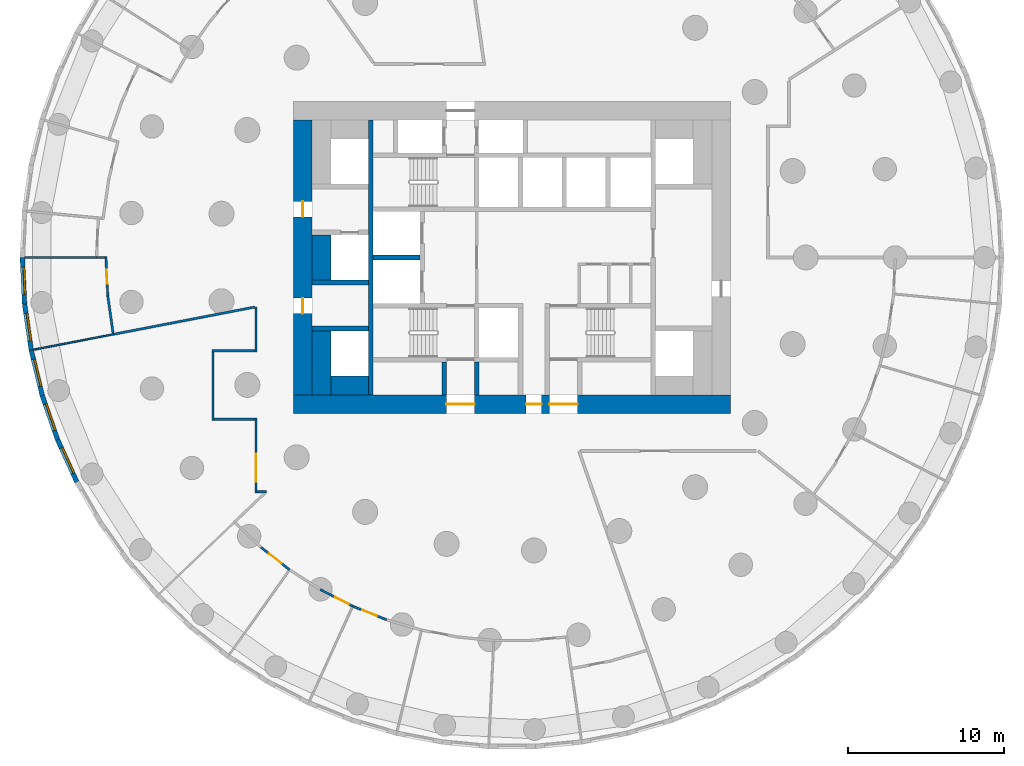
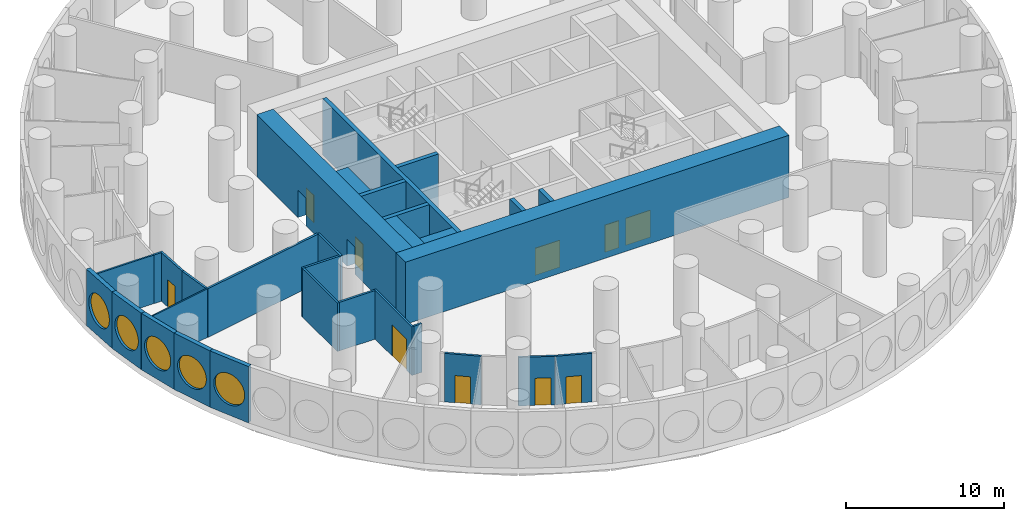
# One storey, part 3 of 11: 31 walls, 10 doors, 5 windows, 15 openings.
"""IFC4 building model written with IfcOpenShell, lengths in metres."""

from ifc_helpers import new_model, si_unit, direction, frame, frame_2d, origin, origin_2d, place, context, subcontext, project, spatial, rectangle, circle, extrude, material, layer, layer_set, type_object, element, fill, save


model = new_model("IFC4")

# Units and contexts
model_context = context("Model", 3, precision=1e-05, world=origin(), true_north=direction((0.0, 1.0)))
body_context = subcontext(model_context, "Body", "Model", "MODEL_VIEW")
ifc_project = project(units=[si_unit("LENGTHUNIT", "METRE"), si_unit("AREAUNIT", "SQUARE_METRE"), si_unit("VOLUMEUNIT", "CUBIC_METRE"), si_unit("PLANEANGLEUNIT", "RADIAN"), si_unit("MASSUNIT", "GRAM", prefix="KILO")], contexts=[model_context])

# Site, building, storey
site_placement = place(None, origin())
site = spatial("IfcSite", under=ifc_project, at=site_placement, CompositionType="ELEMENT")
building_placement = place(site_placement, origin())
building = spatial("IfcBuilding", under=site, at=building_placement, Name="Tracery Tower", CompositionType="ELEMENT")
storey_placement = place(building_placement, frame((0.0, 0.0, 9.0)))
storey = spatial("IfcBuildingStorey", under=building, at=storey_placement, Name="L01", CompositionType="ELEMENT", Elevation=9.0)

# Walls
ifc_material_1 = material(Name="Concrete C60/75", Category="concrete")
ifc_layer_1 = layer(ifc_material_1, 1.199951171875)
ifc_layer_set_1 = layer_set([ifc_layer_1], Name="Core strip wall 1200 C60")
wall_type_1 = type_object("IfcWallType", Name="Core strip wall 1200 C60", PredefinedType="SOLIDWALL", material=ifc_layer_set_1)
wall_1_placement = place(storey_placement, frame((-12.199951171875, -8.800048828125, 0.0), z_axis=(0.0, 0.0, 1.0), x_axis=(0.0, 1.0, 0.0)))
element("IfcWall", 1, at=wall_1_placement, inside=storey, type_object=wall_type_1, Name="L01 wing strip -1 -9.4", PredefinedType="SOLIDWALL", context=body_context, shape_type="SweptSolid", body=[
    extrude(rectangle(XDim=4.10009765625, YDim=1.199951171875, at=frame_2d((2.050048828125, 0.0))), origin(), (0.0, 0.0, 1.0), 4.35009765625),
])
wall_2_placement = place(storey_placement, frame((-12.199951171875, -1.449951171875, 0.0), z_axis=(0.0, 0.0, 1.0), x_axis=(0.0, 1.0, 0.0)))
element("IfcWall", 2, at=wall_2_placement, inside=storey, type_object=wall_type_1, Name="L01 wing strip -1 -1.6", PredefinedType="SOLIDWALL", context=body_context, shape_type="SweptSolid", body=[
    extrude(rectangle(XDim=2.89990234375, YDim=1.199951171875, at=frame_2d((1.449951171875, 0.0))), origin(), (0.0, 0.0, 1.0), 4.35009765625),
])
wall_3_placement = place(storey_placement, frame((-11.60009765625, -8.199951171875, 0.0), z_axis=(0.0, 0.0, 1.0), x_axis=(1.0, 0.0, 0.0)))
element("IfcWall", 3, at=wall_3_placement, inside=storey, type_object=wall_type_1, Name="L01 wing corner -1 -8.2", PredefinedType="SOLIDWALL", context=body_context, shape_type="SweptSolid", body=[
    extrude(rectangle(XDim=2.400146484375, YDim=1.199951171875, at=frame_2d((1.2001953125, 0.0))), origin(), (0.0, 0.0, 1.0), 4.35009765625),
])

# Wall, openings, doors
ifc_material_2 = material(Name="Concrete C60/75", Category="concrete")
ifc_layer_2 = layer(ifc_material_2, 1.199951171875)
ifc_layer_set_2 = layer_set([ifc_layer_2], Name="Core wall 1200 C60")
wall_type_2 = type_object("IfcWallType", Name="Core wall 1200 C60", PredefinedType="SOLIDWALL", material=ifc_layer_set_2)
wall_4_placement = place(storey_placement, frame((-14.0, -9.39990234375, 0.0), z_axis=(0.0, 0.0, 1.0), x_axis=(1.0, 0.0, 0.0)))
wall_4 = element("IfcWall", 4, at=wall_4_placement, inside=storey, type_object=wall_type_2, Name="L01 outer S", PredefinedType="SOLIDWALL", context=body_context, shape_type="SweptSolid", body=[
    extrude(rectangle(XDim=28.0, YDim=1.199951171875, at=frame_2d((14.0, 0.0))), origin(), (0.0, 0.0, 1.0), 4.800048828125),
])
opening_1_placement = place(wall_4_placement, frame((14.89990234375, 0.0, 0.0)))
opening_1 = element("IfcOpeningElement", 5, at=opening_1_placement, cuts=wall_4, Name="Opening KD16", PredefinedType="OPENING", context=body_context, shape_type="SweptSolid", body=[
    extrude(rectangle(XDim=1.0, YDim=2.10009765625, at=frame_2d((0.5, 1.050048828125))), frame((0.0, 0.60009765625, 0.0), z_axis=(0.0, -1.0, 0.0), x_axis=(1.0, 0.0, 0.0)), (0.0, 0.0, 1.0), 1.199951171875),
])
opening_2_placement = place(wall_4_placement, frame((9.800048828125, 0.0, 0.0)))
opening_2 = element("IfcOpeningElement", 6, at=opening_2_placement, cuts=wall_4, Name="Opening KD13", PredefinedType="OPENING", context=body_context, shape_type="SweptSolid", body=[
    extrude(rectangle(XDim=1.800048828125, YDim=2.10009765625, at=frame_2d((0.89990234375, 1.050048828125))), frame((0.0, 0.60009765625, 0.0), z_axis=(0.0, -1.0, 0.0), x_axis=(1.0, 0.0, 0.0)), (0.0, 0.0, 1.0), 1.199951171875),
])
opening_3_placement = place(wall_4_placement, frame((16.39990234375, 0.0, 0.0)))
opening_3 = element("IfcOpeningElement", 7, at=opening_3_placement, cuts=wall_4, Name="Opening KD13", PredefinedType="OPENING", context=body_context, shape_type="SweptSolid", body=[
    extrude(rectangle(XDim=1.800048828125, YDim=2.10009765625, at=frame_2d((0.89990234375, 1.050048828125))), frame((0.0, 0.60009765625, 0.0), z_axis=(0.0, -1.0, 0.0), x_axis=(1.0, 0.0, 0.0)), (0.0, 0.0, 1.0), 1.199951171875),
])
ifc_material_3 = material(Name="Steel fire door", Category="steel")
door_type_1 = type_object("IfcDoorType", Name="Core exit door 1000", OperationType="NOTDEFINED", PredefinedType="DOOR", material=ifc_material_3)
door_1_placement = place(opening_1_placement, origin())
door_1 = element("IfcDoor", 8, at=door_1_placement, inside=storey, type_object=door_type_1, Name="Core exit door", OperationType="SINGLE_SWING_LEFT", OverallHeight=2.10009765625, OverallWidth=1.0, PredefinedType="DOOR", context=body_context, shape_type="SweptSolid", body=[
    extrude(rectangle(XDim=1.0, YDim=2.10009765625, at=frame_2d((0.5, 1.050048828125))), frame((0.0, 0.02490234375, 0.0), z_axis=(0.0, -1.0, 0.0), x_axis=(1.0, 0.0, 0.0)), (0.0, 0.0, 1.0), 0.050048828125),
])
fill(opening_1, door_1)
ifc_material_4 = material(Name="Steel fire door", Category="steel")
door_type_2 = type_object("IfcDoorType", Name="Core exit door 1800 double", OperationType="NOTDEFINED", PredefinedType="DOOR", material=ifc_material_4)
door_2_placement = place(opening_2_placement, origin())
door_2 = element("IfcDoor", 9, at=door_2_placement, inside=storey, type_object=door_type_2, Name="Core exit door", OperationType="DOUBLE_DOOR_SINGLE_SWING", OverallHeight=2.10009765625, OverallWidth=1.800048828125, PredefinedType="DOOR", context=body_context, shape_type="SweptSolid", body=[
    extrude(rectangle(XDim=1.800048828125, YDim=2.10009765625, at=frame_2d((0.89990234375, 1.050048828125))), frame((0.0, 0.02490234375, 0.0), z_axis=(0.0, -1.0, 0.0), x_axis=(1.0, 0.0, 0.0)), (0.0, 0.0, 1.0), 0.050048828125),
])
fill(opening_2, door_2)
door_3_placement = place(opening_3_placement, origin())
door_3 = element("IfcDoor", 10, at=door_3_placement, inside=storey, type_object=door_type_2, Name="Core exit door", OperationType="DOUBLE_DOOR_SINGLE_SWING", OverallHeight=2.10009765625, OverallWidth=1.800048828125, PredefinedType="DOOR", context=body_context, shape_type="SweptSolid", body=[
    extrude(rectangle(XDim=1.800048828125, YDim=2.10009765625, at=frame_2d((0.89990234375, 1.050048828125))), frame((0.0, 0.02490234375, 0.0), z_axis=(0.0, -1.0, 0.0), x_axis=(1.0, 0.0, 0.0)), (0.0, 0.0, 1.0), 0.050048828125),
])
fill(opening_3, door_3)

wall_5_placement = place(storey_placement, frame((-13.39990234375, -8.800048828125, 0.0), z_axis=(0.0, 0.0, 1.0), x_axis=(0.0, 1.0, 0.0)))
wall_5 = element("IfcWall", 11, at=wall_5_placement, inside=storey, type_object=wall_type_2, Name="L01 outer W", PredefinedType="SOLIDWALL", context=body_context, shape_type="SweptSolid", body=[
    extrude(rectangle(XDim=17.60009765625, YDim=1.199951171875, at=frame_2d((8.800048828125, 0.0))), origin(), (0.0, 0.0, 1.0), 4.800048828125),
])
opening_4_placement = place(wall_5_placement, frame((5.199951171875, 0.0, 0.0)))
opening_4 = element("IfcOpeningElement", 12, at=opening_4_placement, cuts=wall_5, Name="Opening KD18", PredefinedType="OPENING", context=body_context, shape_type="SweptSolid", body=[
    extrude(rectangle(XDim=1.0, YDim=2.10009765625, at=frame_2d((0.5, 1.050048828125))), frame((0.0, 0.60009765625, 0.0), z_axis=(0.0, -1.0, 0.0), x_axis=(1.0, 0.0, 0.0)), (0.0, 0.0, 1.0), 1.199951171875),
])
opening_5_placement = place(wall_5_placement, frame((11.39990234375, 0.0, 0.0)))
opening_5 = element("IfcOpeningElement", 13, at=opening_5_placement, cuts=wall_5, Name="Opening KD18", PredefinedType="OPENING", context=body_context, shape_type="SweptSolid", body=[
    extrude(rectangle(XDim=1.0, YDim=2.10009765625, at=frame_2d((0.5, 1.050048828125))), frame((0.0, 0.60009765625, 0.0), z_axis=(0.0, -1.0, 0.0), x_axis=(1.0, 0.0, 0.0)), (0.0, 0.0, 1.0), 1.199951171875),
])
door_4_placement = place(opening_4_placement, origin())
door_4 = element("IfcDoor", 14, at=door_4_placement, inside=storey, type_object=door_type_1, Name="Core exit door", OperationType="DOUBLE_DOOR_SINGLE_SWING", OverallHeight=2.10009765625, OverallWidth=1.0, PredefinedType="DOOR", context=body_context, shape_type="SweptSolid", body=[
    extrude(rectangle(XDim=1.0, YDim=2.10009765625, at=frame_2d((0.5, 1.050048828125))), frame((0.0, 0.02490234375, 0.0), z_axis=(0.0, -1.0, 0.0), x_axis=(1.0, 0.0, 0.0)), (0.0, 0.0, 1.0), 0.050048828125),
])
fill(opening_4, door_4)
door_5_placement = place(opening_5_placement, origin())
door_5 = element("IfcDoor", 15, at=door_5_placement, inside=storey, type_object=door_type_1, Name="Core exit door", OperationType="DOUBLE_DOOR_SINGLE_SWING", OverallHeight=2.10009765625, OverallWidth=1.0, PredefinedType="DOOR", context=body_context, shape_type="SweptSolid", body=[
    extrude(rectangle(XDim=1.0, YDim=2.10009765625, at=frame_2d((0.5, 1.050048828125))), frame((0.0, 0.02490234375, 0.0), z_axis=(0.0, -1.0, 0.0), x_axis=(1.0, 0.0, 0.0)), (0.0, 0.0, 1.0), 0.050048828125),
])
fill(opening_5, door_5)

# Wall
ifc_material_5 = material(Name="Plasterboard on steel studs", Category="steel")
ifc_layer_3 = layer(ifc_material_5, 0.14990234375)
ifc_layer_set_3 = layer_set([ifc_layer_3], Name="Corridor partition 150")
wall_type_3 = type_object("IfcWallType", Name="Corridor partition 150", PredefinedType="PARTITIONING", material=ifc_layer_set_3)
wall_6_placement = place(storey_placement, frame((-26.618896484375, 0.0, 0.0), z_axis=(0.0, 0.0, 1.0), x_axis=(1.0, 0.0, 0.0)))
element("IfcWall", 16, at=wall_6_placement, inside=storey, type_object=wall_type_3, Name="Corridor partition 150", PredefinedType="PARTITIONING", context=body_context, shape_type="SweptSolid", body=[
    extrude(rectangle(XDim=0.525390625, YDim=0.14990234375, at=frame_2d((0.2626953125, 0.0))), origin(), (0.0, 0.0, 1.0), 3.75),
])

# Wall, opening, door
wall_7_placement = place(storey_placement, frame((-25.900634765625, -2.47314453125, 0.0), z_axis=(0.0, 0.0, 1.0), x_axis=(-0.047565149415, 0.998868137724, 0.0)))
wall_7 = element("IfcWall", 17, at=wall_7_placement, inside=storey, type_object=wall_type_3, Name="Corridor partition 150", PredefinedType="PARTITIONING", context=body_context, shape_type="SweptSolid", body=[
    extrude(rectangle(XDim=2.551025390625, YDim=0.14990234375, at=frame_2d((1.275390625, 0.0))), origin(), (0.0, 0.0, 1.0), 3.75),
])
opening_6_placement = place(wall_7_placement, frame((0.7880859375, 0.0, 0.0)))
opening_6 = element("IfcOpeningElement", 18, at=opening_6_placement, cuts=wall_7, Name="Opening SB-L01-16", PredefinedType="OPENING", context=body_context, shape_type="SweptSolid", body=[
    extrude(rectangle(XDim=0.89990234375, YDim=2.10009765625, at=frame_2d((0.449951171875, 1.050048828125))), frame((0.0, 0.074951171875, 0.0), z_axis=(0.0, -1.0, 0.0), x_axis=(1.0, 0.0, 0.0)), (0.0, 0.0, 1.0), 0.14990234375),
])
ifc_material_6 = material(Name="Steel fire door", Category="steel")
door_type_3 = type_object("IfcDoorType", Name="Store door 900", OperationType="NOTDEFINED", PredefinedType="DOOR", material=ifc_material_6)
door_6_placement = place(opening_6_placement, origin())
door_6 = element("IfcDoor", 19, at=door_6_placement, inside=storey, type_object=door_type_3, Name="Store door 900", OperationType="SINGLE_SWING_RIGHT", OverallHeight=2.10009765625, OverallWidth=0.89990234375, PredefinedType="DOOR", context=body_context, shape_type="SweptSolid", body=[
    extrude(rectangle(XDim=0.89990234375, YDim=2.10009765625, at=frame_2d((0.449951171875, 1.050048828125))), frame((0.0, 0.02490234375, 0.0), z_axis=(0.0, -1.0, 0.0), x_axis=(1.0, 0.0, 0.0)), (0.0, 0.0, 1.0), 0.050048828125),
])
fill(opening_6, door_6)

# Walls
wall_8_placement = place(storey_placement, frame((-25.900634765625, -2.47314453125, 0.0), z_axis=(0.0, 0.0, 1.0), x_axis=(0.142360874309, -0.989814821806, 0.0)))
element("IfcWall", 20, at=wall_8_placement, inside=storey, type_object=wall_type_3, Name="Corridor partition 150", PredefinedType="PARTITIONING", context=body_context, shape_type="SweptSolid", body=[
    extrude(rectangle(XDim=2.40087890625, YDim=0.14990234375, at=frame_2d((1.200439453125, 0.0))), origin(), (0.0, 0.0, 1.0), 3.75),
])
wall_9_placement = place(storey_placement, frame((-25.548095703125, -4.924072265625, 0.0), z_axis=(0.0, 0.0, 1.0), x_axis=(0.981926640708, 0.189261914468, 0.0)))
element("IfcWall", 21, at=wall_9_placement, inside=storey, type_object=wall_type_3, Name="Corridor partition 150", PredefinedType="PARTITIONING", context=body_context, shape_type="SweptSolid", body=[
    extrude(rectangle(XDim=9.239990234375, YDim=0.14990234375, at=frame_2d((4.6201171875, 0.0))), origin(), (0.0, 0.0, 1.0), 3.75),
])
wall_10_placement = place(storey_placement, frame((-19.083251953125, -10.36669921875, 0.0), z_axis=(0.0, 0.0, 1.0), x_axis=(1.0, 0.0, 0.0)))
element("IfcWall", 22, at=wall_10_placement, inside=storey, type_object=wall_type_3, Name="Corridor partition 150", PredefinedType="PARTITIONING", context=body_context, shape_type="SweptSolid", body=[
    extrude(rectangle(XDim=2.608154296875, YDim=0.14990234375, at=frame_2d((1.30419921875, 0.0))), origin(), (0.0, 0.0, 1.0), 3.75),
])
wall_11_placement = place(storey_placement, frame((-19.158203125, -6.041748046875, 0.0), z_axis=(0.0, 0.0, 1.0), x_axis=(0.0, -1.0, 0.0)))
element("IfcWall", 23, at=wall_11_placement, inside=storey, type_object=wall_type_3, Name="Corridor partition 150", PredefinedType="PARTITIONING", context=body_context, shape_type="SweptSolid", body=[
    extrude(rectangle(XDim=4.39990234375, YDim=0.14990234375, at=frame_2d((2.199951171875, 0.0))), origin(), (0.0, 0.0, 1.0), 3.75),
])
wall_12_placement = place(storey_placement, frame((-16.324951171875, -15.002197265625, 0.0), z_axis=(0.0, 0.0, 1.0), x_axis=(1.0, 0.0, 0.0)))
element("IfcWall", 24, at=wall_12_placement, inside=storey, type_object=wall_type_3, Name="Corridor partition 150", PredefinedType="PARTITIONING", context=body_context, shape_type="SweptSolid", body=[
    extrude(rectangle(XDim=0.591064453125, YDim=0.14990234375, at=frame_2d((0.29541015625, 0.0))), origin(), (0.0, 0.0, 1.0), 3.75),
])

# Wall, opening, door
wall_13_placement = place(storey_placement, frame((-16.39990234375, -15.077392578125, 0.0), z_axis=(0.0, 0.0, 1.0), x_axis=(0.0, 1.0, 0.0)))
wall_13 = element("IfcWall", 25, at=wall_13_placement, inside=storey, type_object=wall_type_3, Name="Corridor partition 150", PredefinedType="PARTITIONING", context=body_context, shape_type="SweptSolid", body=[
    extrude(rectangle(XDim=4.78564453125, YDim=0.14990234375, at=frame_2d((2.392822265625, 0.0))), origin(), (0.0, 0.0, 1.0), 3.75),
])
opening_7_placement = place(wall_13_placement, frame((0.69287109375, 0.0, 0.0)))
opening_7 = element("IfcOpeningElement", 26, at=opening_7_placement, cuts=wall_13, Name="Opening SB-L01-17", PredefinedType="OPENING", context=body_context, shape_type="SweptSolid", body=[
    extrude(rectangle(XDim=1.800048828125, YDim=2.39990234375, at=frame_2d((0.89990234375, 1.199951171875))), frame((0.0, 0.074951171875, 0.0), z_axis=(0.0, -1.0, 0.0), x_axis=(1.0, 0.0, 0.0)), (0.0, 0.0, 1.0), 0.14990234375),
])
ifc_material_7 = material(Name="Glazed aluminium door", Category="aluminium")
door_type_4 = type_object("IfcDoorType", Name="Hall double door 1800", OperationType="DOUBLE_DOOR_SINGLE_SWING", PredefinedType="DOOR", material=ifc_material_7)
door_7_placement = place(opening_7_placement, origin())
door_7 = element("IfcDoor", 27, at=door_7_placement, inside=storey, type_object=door_type_4, Name="Hall double door 1800", OperationType="DOUBLE_DOOR_SINGLE_SWING", OverallHeight=2.39990234375, OverallWidth=1.800048828125, PredefinedType="DOOR", context=body_context, shape_type="SweptSolid", body=[
    extrude(rectangle(XDim=1.800048828125, YDim=2.39990234375, at=frame_2d((0.89990234375, 1.199951171875))), frame((0.0, 0.02490234375, 0.0), z_axis=(0.0, -1.0, 0.0), x_axis=(1.0, 0.0, 0.0)), (0.0, 0.0, 1.0), 0.050048828125),
])
fill(opening_7, door_7)

# Walls
wall_14_placement = place(storey_placement, frame((-16.47509765625, -5.966796875, 0.0), z_axis=(0.0, 0.0, 1.0), x_axis=(-1.0, 0.0, 0.0)))
element("IfcWall", 28, at=wall_14_placement, inside=storey, type_object=wall_type_3, Name="Corridor partition 150", PredefinedType="PARTITIONING", context=body_context, shape_type="SweptSolid", body=[
    extrude(rectangle(XDim=2.758056640625, YDim=0.14990234375, at=frame_2d((1.37890625, 0.0))), origin(), (0.0, 0.0, 1.0), 3.75),
])
wall_15_placement = place(storey_placement, frame((-16.39990234375, -3.160888671875, 0.0), z_axis=(0.0, 0.0, 1.0), x_axis=(0.0, -1.0, 0.0)))
element("IfcWall", 29, at=wall_15_placement, inside=storey, type_object=wall_type_3, Name="Corridor partition 150", PredefinedType="PARTITIONING", context=body_context, shape_type="SweptSolid", body=[
    extrude(rectangle(XDim=2.880859375, YDim=0.14990234375, at=frame_2d((1.4404296875, 0.0))), origin(), (0.0, 0.0, 1.0), 3.75),
])

# Wall, opening, door
wall_16_placement = place(storey_placement, frame((-14.25, -20.011474609375, 0.0), z_axis=(0.0, 0.0, 1.0), x_axis=(-0.786108126536, 0.618089001191, 0.0)))
wall_16 = element("IfcWall", 30, at=wall_16_placement, inside=storey, type_object=wall_type_3, Name="Corridor partition 150", PredefinedType="PARTITIONING", context=body_context, shape_type="SweptSolid", body=[
    extrude(rectangle(XDim=2.337890625, YDim=0.14990234375, at=frame_2d((1.1689453125, 0.0))), origin(), (0.0, 0.0, 1.0), 3.75),
])
opening_8_placement = place(wall_16_placement, frame((0.6689453125, 0.0, 0.0)))
opening_8 = element("IfcOpeningElement", 31, at=opening_8_placement, cuts=wall_16, Name="Opening SB-L01-18", PredefinedType="OPENING", context=body_context, shape_type="SweptSolid", body=[
    extrude(rectangle(XDim=1.0, YDim=2.10009765625, at=frame_2d((0.5, 1.050048828125))), frame((0.0, 0.074951171875, 0.0), z_axis=(0.0, -1.0, 0.0), x_axis=(1.0, 0.0, 0.0)), (0.0, 0.0, 1.0), 0.14990234375),
])
ifc_material_8 = material(Name="Timber door leaf", Category="wood")
door_type_5 = type_object("IfcDoorType", Name="Public room door 1000", OperationType="NOTDEFINED", PredefinedType="DOOR", material=ifc_material_8)
door_8_placement = place(opening_8_placement, origin())
door_8 = element("IfcDoor", 32, at=door_8_placement, inside=storey, type_object=door_type_5, Name="Public room door 1000", OperationType="SINGLE_SWING_RIGHT", OverallHeight=2.10009765625, OverallWidth=1.0, PredefinedType="DOOR", context=body_context, shape_type="SweptSolid", body=[
    extrude(rectangle(XDim=1.0, YDim=2.10009765625, at=frame_2d((0.5, 1.050048828125))), frame((0.0, 0.02490234375, 0.0), z_axis=(0.0, -1.0, 0.0), x_axis=(1.0, 0.0, 0.0)), (0.0, 0.0, 1.0), 0.050048828125),
])
fill(opening_8, door_8)

wall_17_placement = place(storey_placement, frame((-10.205322265625, -22.3466796875, 0.0), z_axis=(0.0, 0.0, 1.0), x_axis=(-0.888845697941, 0.458206640339, 0.0)))
wall_17 = element("IfcWall", 33, at=wall_17_placement, inside=storey, type_object=wall_type_3, Name="Corridor partition 150", PredefinedType="PARTITIONING", context=body_context, shape_type="SweptSolid", body=[
    extrude(rectangle(XDim=2.337890625, YDim=0.14990234375, at=frame_2d((1.1689453125, 0.0))), origin(), (0.0, 0.0, 1.0), 3.75),
])
opening_9_placement = place(wall_17_placement, frame((0.268798828125, 0.0, 0.0)))
opening_9 = element("IfcOpeningElement", 34, at=opening_9_placement, cuts=wall_17, Name="Opening SB-L01-19", PredefinedType="OPENING", context=body_context, shape_type="SweptSolid", body=[
    extrude(rectangle(XDim=1.0, YDim=2.10009765625, at=frame_2d((0.5, 1.050048828125))), frame((0.0, 0.074951171875, 0.0), z_axis=(0.0, -1.0, 0.0), x_axis=(1.0, 0.0, 0.0)), (0.0, 0.0, 1.0), 0.14990234375),
])
door_9_placement = place(opening_9_placement, origin())
door_9 = element("IfcDoor", 35, at=door_9_placement, inside=storey, type_object=door_type_5, Name="Public room door 1000", OperationType="SINGLE_SWING_RIGHT", OverallHeight=2.10009765625, OverallWidth=1.0, PredefinedType="DOOR", context=body_context, shape_type="SweptSolid", body=[
    extrude(rectangle(XDim=1.0, YDim=2.10009765625, at=frame_2d((0.5, 1.050048828125))), frame((0.0, 0.02490234375, 0.0), z_axis=(0.0, -1.0, 0.0), x_axis=(1.0, 0.0, 0.0)), (0.0, 0.0, 1.0), 0.050048828125),
])
fill(opening_9, door_9)

wall_18_placement = place(storey_placement, frame((-8.034912109375, -23.215576171875, 0.0), z_axis=(0.0, 0.0, 1.0), x_axis=(-0.92836862221, 0.371660734133, 0.0)))
wall_18 = element("IfcWall", 36, at=wall_18_placement, inside=storey, type_object=wall_type_3, Name="Corridor partition 150", PredefinedType="PARTITIONING", context=body_context, shape_type="SweptSolid", body=[
    extrude(rectangle(XDim=2.337890625, YDim=0.14990234375, at=frame_2d((1.1689453125, 0.0))), origin(), (0.0, 0.0, 1.0), 3.75),
])
opening_10_placement = place(wall_18_placement, frame((0.6689453125, 0.0, 0.0)))
opening_10 = element("IfcOpeningElement", 37, at=opening_10_placement, cuts=wall_18, Name="Opening SB-L01-20", PredefinedType="OPENING", context=body_context, shape_type="SweptSolid", body=[
    extrude(rectangle(XDim=1.0, YDim=2.10009765625, at=frame_2d((0.5, 1.050048828125))), frame((0.0, 0.074951171875, 0.0), z_axis=(0.0, -1.0, 0.0), x_axis=(1.0, 0.0, 0.0)), (0.0, 0.0, 1.0), 0.14990234375),
])
door_10_placement = place(opening_10_placement, origin())
door_10 = element("IfcDoor", 38, at=door_10_placement, inside=storey, type_object=door_type_5, Name="Public room door 1000", OperationType="SINGLE_SWING_RIGHT", OverallHeight=2.10009765625, OverallWidth=1.0, PredefinedType="DOOR", context=body_context, shape_type="SweptSolid", body=[
    extrude(rectangle(XDim=1.0, YDim=2.10009765625, at=frame_2d((0.5, 1.050048828125))), frame((0.0, 0.02490234375, 0.0), z_axis=(0.0, -1.0, 0.0), x_axis=(1.0, 0.0, 0.0)), (0.0, 0.0, 1.0), 0.050048828125),
])
fill(opening_10, door_10)

# Wall, opening, window
ifc_material_9 = material(Name="Precast concrete C50/60", Category="concrete")
ifc_layer_4 = layer(ifc_material_9, 0.300048828125)
ifc_layer_set_4 = layer_set([ifc_layer_4], Name="Facade panel 3000 x 4350")
wall_type_4 = type_object("IfcWallType", Name="Facade panel 3000 x 4350", PredefinedType="SOLIDWALL", material=ifc_layer_set_4)
wall_19_placement = place(storey_placement, frame((-31.37451171875, 0.0, 0.0), z_axis=(0.0, 0.0, 1.0), x_axis=(0.047588458579, -0.998867027492, 0.0)))
wall_19 = element("IfcWall", 39, at=wall_19_placement, inside=storey, type_object=wall_type_4, Name="Facade panel 34 at L01", PredefinedType="SOLIDWALL", context=body_context, shape_type="SweptSolid", body=[
    extrude(rectangle(XDim=2.98583984375, YDim=0.300048828125, at=frame_2d((1.492919921875, 0.0))), origin(), (0.0, 0.0, 1.0), 4.35009765625),
])
opening_11_placement = place(wall_19_placement, frame((1.492919921875, 0.0, 2.0)))
opening_11 = element("IfcOpeningElement", 40, at=opening_11_placement, cuts=wall_19, Name="Opening WN2", PredefinedType="OPENING", context=body_context, shape_type="SweptSolid", body=[
    extrude(circle(Radius=1.199951171875, at=origin_2d()), frame((0.0, 0.159912109375, 0.0), z_axis=(0.0, -1.0, 0.0), x_axis=(1.0, 0.0, 0.0)), (0.0, 0.0, 1.0), 0.320068359375),
])
ifc_material_10 = material(Name="Aluminium frame with tinted double glazing", Category="aluminium")
window_type = type_object("IfcWindowType", Name="Round window 2400", PartitioningType="SINGLE_PANEL", PredefinedType="WINDOW", material=ifc_material_10)
window_1_placement = place(opening_11_placement, origin())
window_1 = element("IfcWindow", 41, at=window_1_placement, inside=storey, type_object=window_type, Name="Round window 34 at L01", OverallHeight=2.39990234375, OverallWidth=2.39990234375, PartitioningType="SINGLE_PANEL", PredefinedType="WINDOW", context=body_context, shape_type="SweptSolid", body=[
    extrude(circle(Radius=1.199951171875, at=origin_2d()), frame((0.0, 0.1201171875, 0.0), z_axis=(0.0, -1.0, 0.0), x_axis=(1.0, 0.0, 0.0)), (0.0, 0.0, 1.0), 0.10009765625),
])
fill(opening_11, window_1)

wall_20_placement = place(storey_placement, frame((-31.232421875, -2.982421875, 0.0), z_axis=(0.0, 0.0, 1.0), x_axis=(0.142360001917, -0.989814947278, 0.0)))
wall_20 = element("IfcWall", 42, at=wall_20_placement, inside=storey, type_object=wall_type_4, Name="Facade panel 35 at L01", PredefinedType="SOLIDWALL", context=body_context, shape_type="SweptSolid", body=[
    extrude(rectangle(XDim=2.98583984375, YDim=0.300048828125, at=frame_2d((1.492919921875, 0.0))), origin(), (0.0, 0.0, 1.0), 4.35009765625),
])
opening_12_placement = place(wall_20_placement, frame((1.492919921875, 0.0, 2.0)))
opening_12 = element("IfcOpeningElement", 43, at=opening_12_placement, cuts=wall_20, Name="Opening WN2", PredefinedType="OPENING", context=body_context, shape_type="SweptSolid", body=[
    extrude(circle(Radius=1.199951171875, at=origin_2d()), frame((0.0, 0.159912109375, 0.0), z_axis=(0.0, -1.0, 0.0), x_axis=(1.0, 0.0, 0.0)), (0.0, 0.0, 1.0), 0.320068359375),
])
window_2_placement = place(opening_12_placement, origin())
window_2 = element("IfcWindow", 44, at=window_2_placement, inside=storey, type_object=window_type, Name="Round window 35 at L01", OverallHeight=2.39990234375, OverallWidth=2.39990234375, PartitioningType="SINGLE_PANEL", PredefinedType="WINDOW", context=body_context, shape_type="SweptSolid", body=[
    extrude(circle(Radius=1.199951171875, at=origin_2d()), frame((0.0, 0.1201171875, 0.0), z_axis=(0.0, -1.0, 0.0), x_axis=(1.0, 0.0, 0.0)), (0.0, 0.0, 1.0), 0.10009765625),
])
fill(opening_12, window_2)

wall_21_placement = place(storey_placement, frame((-30.807373046875, -5.937744140625, 0.0), z_axis=(0.0, 0.0, 1.0), x_axis=(0.235756834479, -0.971812078026, 0.0)))
wall_21 = element("IfcWall", 45, at=wall_21_placement, inside=storey, type_object=wall_type_4, Name="Facade panel 36 at L01", PredefinedType="SOLIDWALL", context=body_context, shape_type="SweptSolid", body=[
    extrude(rectangle(XDim=2.985595703125, YDim=0.300048828125, at=frame_2d((1.49267578125, 0.0))), origin(), (0.0, 0.0, 1.0), 4.35009765625),
])
opening_13_placement = place(wall_21_placement, frame((1.492919921875, 0.0, 2.0)))
opening_13 = element("IfcOpeningElement", 46, at=opening_13_placement, cuts=wall_21, Name="Opening WN2", PredefinedType="OPENING", context=body_context, shape_type="SweptSolid", body=[
    extrude(circle(Radius=1.199951171875, at=origin_2d()), frame((0.0, 0.159912109375, 0.0), z_axis=(0.0, -1.0, 0.0), x_axis=(1.0, 0.0, 0.0)), (0.0, 0.0, 1.0), 0.320068359375),
])
window_3_placement = place(opening_13_placement, origin())
window_3 = element("IfcWindow", 47, at=window_3_placement, inside=storey, type_object=window_type, Name="Round window 36 at L01", OverallHeight=2.39990234375, OverallWidth=2.39990234375, PartitioningType="SINGLE_PANEL", PredefinedType="WINDOW", context=body_context, shape_type="SweptSolid", body=[
    extrude(circle(Radius=1.199951171875, at=origin_2d()), frame((0.0, 0.1201171875, 0.0), z_axis=(0.0, -1.0, 0.0), x_axis=(1.0, 0.0, 0.0)), (0.0, 0.0, 1.0), 0.10009765625),
])
fill(opening_13, window_3)

wall_22_placement = place(storey_placement, frame((-30.103515625, -8.839111328125, 0.0), z_axis=(0.0, 0.0, 1.0), x_axis=(0.327074054052, -0.944998710669, 0.0)))
wall_22 = element("IfcWall", 48, at=wall_22_placement, inside=storey, type_object=wall_type_4, Name="Facade panel 37 at L01", PredefinedType="SOLIDWALL", context=body_context, shape_type="SweptSolid", body=[
    extrude(rectangle(XDim=2.98583984375, YDim=0.300048828125, at=frame_2d((1.492919921875, 0.0))), origin(), (0.0, 0.0, 1.0), 4.35009765625),
])
opening_14_placement = place(wall_22_placement, frame((1.492919921875, 0.0, 2.0)))
opening_14 = element("IfcOpeningElement", 49, at=opening_14_placement, cuts=wall_22, Name="Opening WN2", PredefinedType="OPENING", context=body_context, shape_type="SweptSolid", body=[
    extrude(circle(Radius=1.199951171875, at=origin_2d()), frame((0.0, 0.159912109375, 0.0), z_axis=(0.0, -1.0, 0.0), x_axis=(1.0, 0.0, 0.0)), (0.0, 0.0, 1.0), 0.320068359375),
])
window_4_placement = place(opening_14_placement, origin())
window_4 = element("IfcWindow", 50, at=window_4_placement, inside=storey, type_object=window_type, Name="Round window 37 at L01", OverallHeight=2.39990234375, OverallWidth=2.39990234375, PartitioningType="SINGLE_PANEL", PredefinedType="WINDOW", context=body_context, shape_type="SweptSolid", body=[
    extrude(circle(Radius=1.199951171875, at=origin_2d()), frame((0.0, 0.1201171875, 0.0), z_axis=(0.0, -1.0, 0.0), x_axis=(1.0, 0.0, 0.0)), (0.0, 0.0, 1.0), 0.10009765625),
])
fill(opening_14, window_4)

wall_23_placement = place(storey_placement, frame((-29.126953125, -11.66064453125, 0.0), z_axis=(0.0, 0.0, 1.0), x_axis=(0.415373250944, -0.909651066289, 0.0)))
wall_23 = element("IfcWall", 51, at=wall_23_placement, inside=storey, type_object=wall_type_4, Name="Facade panel 38 at L01", PredefinedType="SOLIDWALL", context=body_context, shape_type="SweptSolid", body=[
    extrude(rectangle(XDim=2.98583984375, YDim=0.300048828125, at=frame_2d((1.492919921875, 0.0))), origin(), (0.0, 0.0, 1.0), 4.35009765625),
])
opening_15_placement = place(wall_23_placement, frame((1.492919921875, 0.0, 2.0)))
opening_15 = element("IfcOpeningElement", 52, at=opening_15_placement, cuts=wall_23, Name="Opening WN2", PredefinedType="OPENING", context=body_context, shape_type="SweptSolid", body=[
    extrude(circle(Radius=1.199951171875, at=origin_2d()), frame((0.0, 0.159912109375, 0.0), z_axis=(0.0, -1.0, 0.0), x_axis=(1.0, 0.0, 0.0)), (0.0, 0.0, 1.0), 0.320068359375),
])
window_5_placement = place(opening_15_placement, origin())
window_5 = element("IfcWindow", 53, at=window_5_placement, inside=storey, type_object=window_type, Name="Round window 38 at L01", OverallHeight=2.39990234375, OverallWidth=2.39990234375, PartitioningType="SINGLE_PANEL", PredefinedType="WINDOW", context=body_context, shape_type="SweptSolid", body=[
    extrude(circle(Radius=1.199951171875, at=origin_2d()), frame((0.0, 0.1201171875, 0.0), z_axis=(0.0, -1.0, 0.0), x_axis=(1.0, 0.0, 0.0)), (0.0, 0.0, 1.0), 0.10009765625),
])
fill(opening_15, window_5)

# Walls
ifc_material_11 = material(Name="Concrete C60/75", Category="concrete")
ifc_layer_5 = layer(ifc_material_11, 0.300048828125)
ifc_layer_set_5 = layer_set([ifc_layer_5], Name="Shaft wall 300 C60")
wall_type_5 = type_object("IfcWallType", Name="Shaft wall 300 C60", PredefinedType="SOLIDWALL", material=ifc_layer_set_5)
wall_24_placement = place(storey_placement, frame((-8.89990234375, 0.0, 0.0), z_axis=(0.0, 0.0, 1.0), x_axis=(1.0, 0.0, 0.0)))
element("IfcWall", 54, at=wall_24_placement, inside=storey, type_object=wall_type_5, Name="L01 FF split", PredefinedType="SOLIDWALL", context=body_context, shape_type="SweptSolid", body=[
    extrude(rectangle(XDim=3.0, YDim=0.300048828125, at=frame_2d((1.5, 0.0))), origin(), (0.0, 0.0, 1.0), 4.35009765625),
])
wall_25_placement = place(storey_placement, frame((-4.35009765625, -8.800048828125, 0.0), z_axis=(0.0, 0.0, 1.0), x_axis=(0.0, 1.0, 0.0)))
element("IfcWall", 55, at=wall_25_placement, inside=storey, type_object=wall_type_5, Name="L01 band S -4.35", PredefinedType="SOLIDWALL", context=body_context, shape_type="SweptSolid", body=[
    extrude(rectangle(XDim=2.10009765625, YDim=0.300048828125, at=frame_2d((1.050048828125, 0.0))), origin(), (0.0, 0.0, 1.0), 4.35009765625),
])
for number, where, z_axis, x_axis, name in (
    (56, (-12.800048828125, -4.550048828125, 0.0), (0.0, 0.0, 1.0), (1.0, 0.0, 0.0), "L01 wing shaft wall -1 -4.55"),
    (57, (-12.800048828125, -1.60009765625, 0.0), (0.0, 0.0, 1.0), (1.0, 0.0, 0.0), "L01 wing shaft wall -1 -1.60"),
):
    element("IfcWall", number, at=place(storey_placement, frame(where, z_axis=z_axis, x_axis=x_axis)), inside=storey, type_object=wall_type_5, Name=name, PredefinedType="SOLIDWALL", context=body_context, shape_type="SweptSolid", body=[
        extrude(rectangle(XDim=3.60009765625, YDim=0.300048828125, at=frame_2d((1.800048828125, 0.0))), origin(), (0.0, 0.0, 1.0), 4.35009765625),
    ])
ifc_material_12 = material(Name="Concrete C60/75", Category="concrete")
ifc_layer_6 = layer(ifc_material_12, 0.300048828125)
ifc_layer_set_6 = layer_set([ifc_layer_6], Name="Stair wall 300 C60")
wall_type_6 = type_object("IfcWallType", Name="Stair wall 300 C60", PredefinedType="SOLIDWALL", material=ifc_layer_set_6)
wall_26_placement = place(storey_placement, frame((-9.050048828125, -8.800048828125, 0.0), z_axis=(0.0, 0.0, 1.0), x_axis=(0.0, 1.0, 0.0)))
element("IfcWall", 58, at=wall_26_placement, inside=storey, type_object=wall_type_6, Name="L01 F wall -9", PredefinedType="SOLIDWALL", context=body_context, shape_type="SweptSolid", body=[
    extrude(rectangle(XDim=17.60009765625, YDim=0.300048828125, at=frame_2d((8.800048828125, 0.0))), origin(), (0.0, 0.0, 1.0), 4.35009765625),
])
wall_27_placement = place(storey_placement, frame((-2.25, -8.800048828125, 0.0), z_axis=(0.0, 0.0, 1.0), x_axis=(0.0, 1.0, 0.0)))
element("IfcWall", 59, at=wall_27_placement, inside=storey, type_object=wall_type_6, Name="L01 ST1 E out", PredefinedType="SOLIDWALL", context=body_context, shape_type="SweptSolid", body=[
    extrude(rectangle(XDim=2.10009765625, YDim=0.300048828125, at=frame_2d((1.050048828125, 0.0))), origin(), (0.0, 0.0, 1.0), 4.35009765625),
])
ifc_material_13 = material(Name="Plasterboard on steel studs", Category="steel")
ifc_layer_7 = layer(ifc_material_13, 0.10009765625)
ifc_layer_set_7 = layer_set([ifc_layer_7], Name="Stud partition 100")
wall_type_7 = type_object("IfcWallType", Name="Stud partition 100", PredefinedType="PARTITIONING", material=ifc_layer_set_7)
wall_28_placement = place(storey_placement, frame((-30.659912109375, -5.9091796875, 0.0), z_axis=(0.0, 0.0, 1.0), x_axis=(0.981932782009, 0.189230049451, 0.0)))
element("IfcWall", 60, at=wall_28_placement, inside=storey, type_object=wall_type_7, Name="Stud partition 100", PredefinedType="PARTITIONING", context=body_context, shape_type="SweptSolid", body=[
    extrude(rectangle(XDim=5.205810546875, YDim=0.10009765625, at=frame_2d((2.60302734375, 0.0))), origin(), (0.0, 0.0, 1.0), 3.75),
])
ifc_material_14 = material(Name="Plasterboard on steel studs", Category="steel")
ifc_layer_8 = layer(ifc_material_14, 0.125)
ifc_layer_set_8 = layer_set([ifc_layer_8], Name="Wet area partition 125")
wall_type_8 = type_object("IfcWallType", Name="Wet area partition 125", PredefinedType="PARTITIONING", material=ifc_layer_set_8)
wall_29_placement = place(storey_placement, frame((-31.224365234375, 0.0, 0.0), z_axis=(0.0, 0.0, 1.0), x_axis=(1.0, 0.0, 0.0)))
element("IfcWall", 61, at=wall_29_placement, inside=storey, type_object=wall_type_8, Name="Wet area partition 125", PredefinedType="PARTITIONING", context=body_context, shape_type="SweptSolid", body=[
    extrude(rectangle(XDim=4.60546875, YDim=0.125, at=frame_2d((2.302734375, 0.0))), origin(), (0.0, 0.0, 1.0), 3.75),
])

save(model, "model.ifc")
